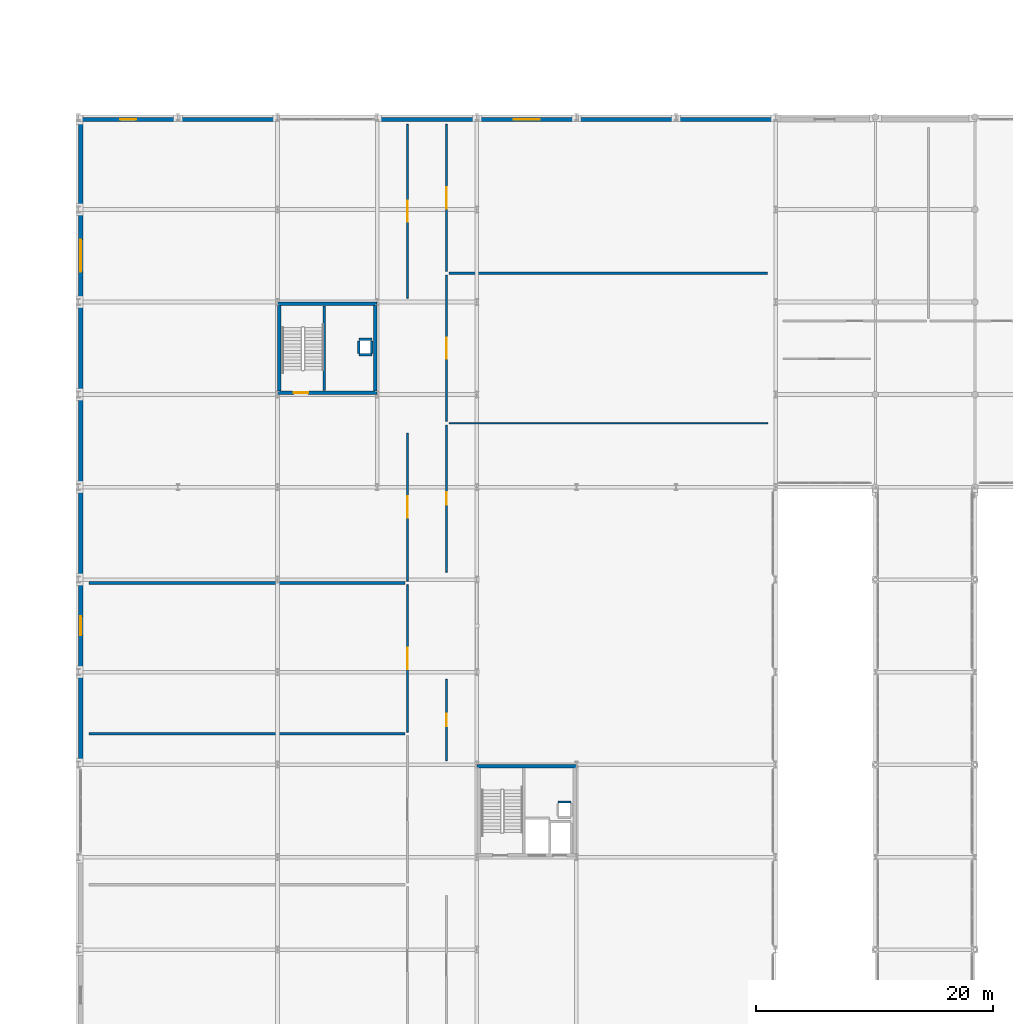
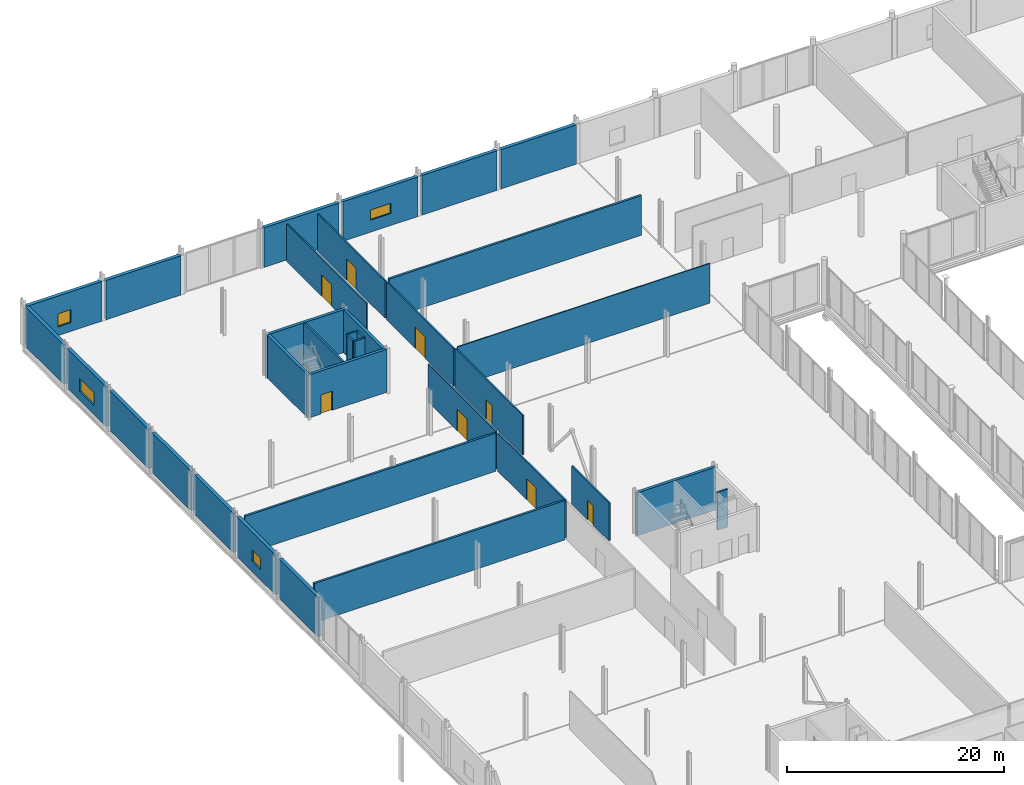
# One storey, part 78 of 105: 35 walls, 8 doors, 4 windows, 12 openings.
"""IFC4 building model written with IfcOpenShell, lengths in metres."""

from ifc_helpers import new_model, si_unit, direction, frame, frame_2d, origin, place, context, subcontext, project, spatial, rectangle, extrude, material, layer, layer_set, type_object, element, fill, save


model = new_model("IFC4")

# Units and contexts
model_context = context("Model", 3, precision=1e-05, world=origin(), true_north=direction((0.0, 1.0)))
body_context = subcontext(model_context, "Body", "Model", "MODEL_VIEW")
ifc_project = project(units=[si_unit("LENGTHUNIT", "METRE"), si_unit("AREAUNIT", "SQUARE_METRE"), si_unit("VOLUMEUNIT", "CUBIC_METRE"), si_unit("PLANEANGLEUNIT", "RADIAN"), si_unit("MASSUNIT", "GRAM", prefix="KILO")], contexts=[model_context])

# Site, building, storey
site_placement = place(None, origin())
site = spatial("IfcSite", under=ifc_project, at=site_placement, CompositionType="ELEMENT")
building_placement = place(site_placement, origin())
building = spatial("IfcBuilding", under=site, at=building_placement, Name="Nabrawat Pavilion Hospital", CompositionType="ELEMENT")
storey_placement = place(building_placement, frame((0.0, 0.0, 5.10009765625)))
storey = spatial("IfcBuildingStorey", under=building, at=storey_placement, Name="L01", CompositionType="ELEMENT", Elevation=5.10009765625)

# Wall
ifc_material_1 = material(Name="Gypsum Plasterboard on Stud", Category="gypsum")
ifc_layer_1 = layer(ifc_material_1, 0.10009765625, Name="Gypsum Plasterboard on Stud")
ifc_layer_set_1 = layer_set([ifc_layer_1], Name="Gypsum Plasterboard on Stud")
wall_type_1 = type_object("IfcWallType", Name="Clean Utility Sub-Partition 100", PredefinedType="PARTITIONING", material=ifc_layer_set_1)
wall_1_placement = place(storey_placement, frame((31.260009765625, 91.179931640625, 0.0), z_axis=(0.0, 0.0, 1.0), x_axis=(1.0, 0.0, 0.0)))
element("IfcWall", 1, at=wall_1_placement, inside=storey, type_object=wall_type_1, Name="L01 Surgical Sterile Supply Store L01-08 Dividing Partition", PredefinedType="PARTITIONING", context=body_context, shape_type="SweptSolid", body=[
    extrude(rectangle(XDim=26.85009765625, YDim=0.10009765625, at=frame_2d((13.425048828125, 0.0))), origin(), (0.0, 0.0, 1.0), 4.4599609375),
])

# Wall, opening, door
ifc_material_2 = material(Name="Gypsum Fireboard on Steel Stud", Category="steel")
ifc_layer_2 = layer(ifc_material_2, 0.14990234375, Name="Gypsum Fireboard on Steel Stud")
ifc_layer_set_2 = layer_set([ifc_layer_2], Name="Gypsum Fireboard on Steel Stud")
wall_type_2 = type_object("IfcWallType", Name="Clinical Corridor Smoke-Barrier Wall 150", PredefinedType="PARTITIONING", material=ifc_layer_set_2)
wall_2_placement = place(storey_placement, frame((27.760009765625, 65.14501953125, 0.0), z_axis=(0.0, 0.0, 1.0), x_axis=(0.0, 1.0, 0.0)))
wall_2 = element("IfcWall", 2, at=wall_2_placement, inside=storey, type_object=wall_type_2, Name="L01 Operating Theatre 3 Orthopaedic L01-03 Front Partition", PredefinedType="PARTITIONING", context=body_context, shape_type="SweptSolid", body=[
    extrude(rectangle(XDim=12.402587890625, YDim=0.14990234375, at=frame_2d((6.201171875, 0.0))), origin(), (0.0, 0.0, 1.0), 4.27001953125),
])
opening_1_placement = place(wall_2_placement, frame((5.30126953125, 0.0, 0.0)))
opening_1 = element("IfcOpeningElement", 3, at=opening_1_placement, cuts=wall_2, Name="Opening D-OR", PredefinedType="OPENING", context=body_context, shape_type="SweptSolid", body=[
    extrude(rectangle(XDim=1.800048828125, YDim=2.39990234375, at=frame_2d((0.89990234375, 1.199951171875))), frame((0.0, 0.0849609375, 0.0), z_axis=(0.0, -1.0, 0.0), x_axis=(1.0, 0.0, 0.0)), (0.0, 0.0, 1.0), 0.169921875),
])
ifc_material_3 = material(Name="Stainless-Clad Acoustic Timber and Vision Glass", Category="wood")
door_type_1 = type_object("IfcDoorType", Name="D-OR Hermetic Operating Theatre Automatic Door 1800x2400", OperationType="DOUBLE_DOOR_SLIDING", PredefinedType="DOOR", material=ifc_material_3)
door_1_placement = place(opening_1_placement, origin())
door_1 = element("IfcDoor", 4, at=door_1_placement, inside=storey, type_object=door_type_1, Name="Operating Theatre 3 Orthopaedic L01-03 Door", OperationType="DOUBLE_DOOR_SLIDING", OverallHeight=2.39990234375, OverallWidth=1.800048828125, PredefinedType="DOOR", context=body_context, shape_type="SweptSolid", body=[
    extrude(rectangle(XDim=1.800048828125, YDim=2.39990234375, at=frame_2d((0.89990234375, 1.199951171875))), frame((0.0, 0.02490234375, 0.0), z_axis=(0.0, -1.0, 0.0), x_axis=(1.0, 0.0, 0.0)), (0.0, 0.0, 1.0), 0.050048828125),
])
fill(opening_1, door_1)

wall_3_placement = place(storey_placement, frame((27.760009765625, 77.867431640625, 0.0), z_axis=(0.0, 0.0, 1.0), x_axis=(0.0, 1.0, 0.0)))
wall_3 = element("IfcWall", 5, at=wall_3_placement, inside=storey, type_object=wall_type_2, Name="L01 Operating Theatre 4 General Laparoscopic L01-04 Front Partition", PredefinedType="PARTITIONING", context=body_context, shape_type="SweptSolid", body=[
    extrude(rectangle(XDim=12.482666015625, YDim=0.14990234375, at=frame_2d((6.2412109375, 0.0))), origin(), (0.0, 0.0, 1.0), 4.27001953125),
])
opening_2_placement = place(wall_3_placement, frame((5.34130859375, 0.0, 0.0)))
opening_2 = element("IfcOpeningElement", 6, at=opening_2_placement, cuts=wall_3, Name="Opening D-OR", PredefinedType="OPENING", context=body_context, shape_type="SweptSolid", body=[
    extrude(rectangle(XDim=1.800048828125, YDim=2.39990234375, at=frame_2d((0.89990234375, 1.199951171875))), frame((0.0, 0.0849609375, 0.0), z_axis=(0.0, -1.0, 0.0), x_axis=(1.0, 0.0, 0.0)), (0.0, 0.0, 1.0), 0.169921875),
])
door_2_placement = place(opening_2_placement, origin())
door_2 = element("IfcDoor", 7, at=door_2_placement, inside=storey, type_object=door_type_1, Name="Operating Theatre 4 General Laparoscopic L01-04 Door", OperationType="DOUBLE_DOOR_SLIDING", OverallHeight=2.39990234375, OverallWidth=1.800048828125, PredefinedType="DOOR", context=body_context, shape_type="SweptSolid", body=[
    extrude(rectangle(XDim=1.800048828125, YDim=2.39990234375, at=frame_2d((0.89990234375, 1.199951171875))), frame((0.0, 0.02490234375, 0.0), z_axis=(0.0, -1.0, 0.0), x_axis=(1.0, 0.0, 0.0)), (0.0, 0.0, 1.0), 0.050048828125),
])
fill(opening_2, door_2)

wall_4_placement = place(storey_placement, frame((27.760009765625, 101.719970703125, 0.0), z_axis=(0.0, 0.0, 1.0), x_axis=(0.0, 1.0, 0.0)))
wall_4 = element("IfcWall", 8, at=wall_4_placement, inside=storey, type_object=wall_type_2, Name="L01 Operating Theatre 5 Vascular L01-05 Front Partition", PredefinedType="PARTITIONING", context=body_context, shape_type="SweptSolid", body=[
    extrude(rectangle(XDim=14.659912109375, YDim=0.14990234375, at=frame_2d((7.330078125, 0.0))), origin(), (0.0, 0.0, 1.0), 4.2099609375),
])
opening_3_placement = place(wall_4_placement, frame((6.429931640625, 0.0, 0.0)))
opening_3 = element("IfcOpeningElement", 9, at=opening_3_placement, cuts=wall_4, Name="Opening D-OR", PredefinedType="OPENING", context=body_context, shape_type="SweptSolid", body=[
    extrude(rectangle(XDim=1.800048828125, YDim=2.39990234375, at=frame_2d((0.89990234375, 1.199951171875))), frame((0.0, 0.0849609375, 0.0), z_axis=(0.0, -1.0, 0.0), x_axis=(1.0, 0.0, 0.0)), (0.0, 0.0, 1.0), 0.169921875),
])
door_3_placement = place(opening_3_placement, origin())
door_3 = element("IfcDoor", 10, at=door_3_placement, inside=storey, type_object=door_type_1, Name="Operating Theatre 5 Vascular L01-05 Door", OperationType="DOUBLE_DOOR_SLIDING", OverallHeight=2.39990234375, OverallWidth=1.800048828125, PredefinedType="DOOR", context=body_context, shape_type="SweptSolid", body=[
    extrude(rectangle(XDim=1.800048828125, YDim=2.39990234375, at=frame_2d((0.89990234375, 1.199951171875))), frame((0.0, 0.02490234375, 0.0), z_axis=(0.0, -1.0, 0.0), x_axis=(1.0, 0.0, 0.0)), (0.0, 0.0, 1.0), 0.050048828125),
])
fill(opening_3, door_3)

wall_5_placement = place(storey_placement, frame((31.0400390625, 62.719970703125, 0.0), z_axis=(0.0, 0.0, 1.0), x_axis=(0.0, 1.0, 0.0)))
wall_5 = element("IfcWall", 11, at=wall_5_placement, inside=storey, type_object=wall_type_2, Name="L01 Central Surgical Recovery PACU Hall L01-07 Front Partition", PredefinedType="PARTITIONING", context=body_context, shape_type="SweptSolid", body=[
    extrude(rectangle(XDim=6.860107421875, YDim=0.14990234375, at=frame_2d((3.43017578125, 0.0))), origin(), (0.0, 0.0, 1.0), 4.27001953125),
])
opening_4_placement = place(wall_5_placement, frame((2.905029296875, 0.0, 0.0)))
opening_4 = element("IfcOpeningElement", 12, at=opening_4_placement, cuts=wall_5, Name="Opening D-OPC-L", PredefinedType="OPENING", context=body_context, shape_type="SweptSolid", body=[
    extrude(rectangle(XDim=1.050048828125, YDim=2.14990234375, at=frame_2d((0.52490234375, 1.074951171875))), frame((0.0, 0.0849609375, 0.0), z_axis=(0.0, -1.0, 0.0), x_axis=(1.0, 0.0, 0.0)), (0.0, 0.0, 1.0), 0.169921875),
])
door_type_2 = type_object("IfcDoorType", Name="Outpatient Clinic Consultation Door L 1050x2150", OperationType="NOTDEFINED", PredefinedType="DOOR", material=ifc_material_3)
door_4_placement = place(opening_4_placement, origin())
door_4 = element("IfcDoor", 13, at=door_4_placement, inside=storey, type_object=door_type_2, Name="Central Surgical Recovery PACU Hall L01-07 Door", OperationType="SINGLE_SWING_RIGHT", OverallHeight=2.14990234375, OverallWidth=1.050048828125, PredefinedType="DOOR", context=body_context, shape_type="SweptSolid", body=[
    extrude(rectangle(XDim=1.050048828125, YDim=2.14990234375, at=frame_2d((0.52490234375, 1.074951171875))), frame((0.0, 0.02490234375, 0.0), z_axis=(0.0, -1.0, 0.0), x_axis=(1.0, 0.0, 0.0)), (0.0, 0.0, 1.0), 0.050048828125),
])
fill(opening_4, door_4)

wall_6_placement = place(storey_placement, frame((31.0400390625, 78.6201171875, 0.0), z_axis=(0.0, 0.0, 1.0), x_axis=(0.0, 1.0, 0.0)))
wall_6 = element("IfcWall", 14, at=wall_6_placement, inside=storey, type_object=wall_type_2, Name="L01 Surgical Sterile Supply Store L01-08 Front Partition", PredefinedType="PARTITIONING", context=body_context, shape_type="SweptSolid", body=[
    extrude(rectangle(XDim=12.39990234375, YDim=0.14990234375, at=frame_2d((6.199951171875, 0.0))), origin(), (0.0, 0.0, 1.0), 4.449951171875),
])
opening_5_placement = place(wall_6_placement, frame((5.675048828125, 0.0, 0.0)))
opening_5 = element("IfcOpeningElement", 15, at=opening_5_placement, cuts=wall_6, Name="Opening D-OPC-R", PredefinedType="OPENING", context=body_context, shape_type="SweptSolid", body=[
    extrude(rectangle(XDim=1.050048828125, YDim=2.14990234375, at=frame_2d((0.52490234375, 1.074951171875))), frame((0.0, 0.0849609375, 0.0), z_axis=(0.0, -1.0, 0.0), x_axis=(1.0, 0.0, 0.0)), (0.0, 0.0, 1.0), 0.169921875),
])
door_type_3 = type_object("IfcDoorType", Name="Outpatient Clinic Consultation Door R 1050x2150", OperationType="NOTDEFINED", PredefinedType="DOOR", material=ifc_material_3)
door_5_placement = place(opening_5_placement, origin())
door_5 = element("IfcDoor", 16, at=door_5_placement, inside=storey, type_object=door_type_3, Name="Surgical Sterile Supply Store L01-08 Door", OperationType="SINGLE_SWING_LEFT", OverallHeight=2.14990234375, OverallWidth=1.050048828125, PredefinedType="DOOR", context=body_context, shape_type="SweptSolid", body=[
    extrude(rectangle(XDim=1.050048828125, YDim=2.14990234375, at=frame_2d((0.52490234375, 1.074951171875))), frame((0.0, 0.02490234375, 0.0), z_axis=(0.0, -1.0, 0.0), x_axis=(1.0, 0.0, 0.0)), (0.0, 0.0, 1.0), 0.050048828125),
])
fill(opening_5, door_5)

wall_7_placement = place(storey_placement, frame((31.0400390625, 91.340087890625, 0.0), z_axis=(0.0, 0.0, 1.0), x_axis=(0.0, 1.0, 0.0)))
wall_7 = element("IfcWall", 17, at=wall_7_placement, inside=storey, type_object=wall_type_2, Name="L01 Operating Theatre 1 Hybrid Cardiac L01-09 Front Partition", PredefinedType="PARTITIONING", context=body_context, shape_type="SweptSolid", body=[
    extrude(rectangle(XDim=12.31982421875, YDim=0.14990234375, at=frame_2d((6.159912109375, 0.0))), origin(), (0.0, 0.0, 1.0), 4.27001953125),
])
opening_6_placement = place(wall_7_placement, frame((5.260009765625, 0.0, 0.0)))
opening_6 = element("IfcOpeningElement", 18, at=opening_6_placement, cuts=wall_7, Name="Opening D-OR", PredefinedType="OPENING", context=body_context, shape_type="SweptSolid", body=[
    extrude(rectangle(XDim=1.800048828125, YDim=2.39990234375, at=frame_2d((0.89990234375, 1.199951171875))), frame((0.0, 0.0849609375, 0.0), z_axis=(0.0, -1.0, 0.0), x_axis=(1.0, 0.0, 0.0)), (0.0, 0.0, 1.0), 0.169921875),
])
door_6_placement = place(opening_6_placement, origin())
door_6 = element("IfcDoor", 19, at=door_6_placement, inside=storey, type_object=door_type_1, Name="Operating Theatre 1 Hybrid Cardiac L01-09 Door", OperationType="DOUBLE_DOOR_SLIDING", OverallHeight=2.39990234375, OverallWidth=1.800048828125, PredefinedType="DOOR", context=body_context, shape_type="SweptSolid", body=[
    extrude(rectangle(XDim=1.800048828125, YDim=2.39990234375, at=frame_2d((0.89990234375, 1.199951171875))), frame((0.0, 0.02490234375, 0.0), z_axis=(0.0, -1.0, 0.0), x_axis=(1.0, 0.0, 0.0)), (0.0, 0.0, 1.0), 0.050048828125),
])
fill(opening_6, door_6)

wall_8_placement = place(storey_placement, frame((31.0400390625, 103.97998046875, 0.0), z_axis=(0.0, 0.0, 1.0), x_axis=(0.0, 1.0, 0.0)))
wall_8 = element("IfcWall", 20, at=wall_8_placement, inside=storey, type_object=wall_type_2, Name="L01 Operating Theatre 2 Neurosurgery L01-10 Front Partition", PredefinedType="PARTITIONING", context=body_context, shape_type="SweptSolid", body=[
    extrude(rectangle(XDim=12.39990234375, YDim=0.14990234375, at=frame_2d((6.199951171875, 0.0))), origin(), (0.0, 0.0, 1.0), 4.2099609375),
])
opening_7_placement = place(wall_8_placement, frame((5.300048828125, 0.0, 0.0)))
opening_7 = element("IfcOpeningElement", 21, at=opening_7_placement, cuts=wall_8, Name="Opening D-OR", PredefinedType="OPENING", context=body_context, shape_type="SweptSolid", body=[
    extrude(rectangle(XDim=1.800048828125, YDim=2.39990234375, at=frame_2d((0.89990234375, 1.199951171875))), frame((0.0, 0.0849609375, 0.0), z_axis=(0.0, -1.0, 0.0), x_axis=(1.0, 0.0, 0.0)), (0.0, 0.0, 1.0), 0.169921875),
])
door_7_placement = place(opening_7_placement, origin())
door_7 = element("IfcDoor", 22, at=door_7_placement, inside=storey, type_object=door_type_1, Name="Operating Theatre 2 Neurosurgery L01-10 Door", OperationType="DOUBLE_DOOR_SLIDING", OverallHeight=2.39990234375, OverallWidth=1.800048828125, PredefinedType="DOOR", context=body_context, shape_type="SweptSolid", body=[
    extrude(rectangle(XDim=1.800048828125, YDim=2.39990234375, at=frame_2d((0.89990234375, 1.199951171875))), frame((0.0, 0.02490234375, 0.0), z_axis=(0.0, -1.0, 0.0), x_axis=(1.0, 0.0, 0.0)), (0.0, 0.0, 1.0), 0.050048828125),
])
fill(opening_7, door_7)

# Walls
ifc_material_4 = material(Name="Concrete C35/45", Category="concrete")
ifc_layer_3 = layer(ifc_material_4, 0.199951171875, Name="Concrete C35/45")
ifc_layer_set_3 = layer_set([ifc_layer_3], Name="Concrete C35/45")
wall_type_3 = type_object("IfcWallType", Name="Lift and Riser Fire Shaft Wall 200", PredefinedType="PARTITIONING", material=ifc_layer_set_3)
wall_9_placement = place(storey_placement, frame((40.449951171875, 59.25, 0.0), z_axis=(0.0, 0.0, 1.0), x_axis=(1.0, 0.0, 0.0)))
element("IfcWall", 23, at=wall_9_placement, inside=storey, type_object=wall_type_3, Name="L01 CORE-2 MEP Riser Shaft Wall N", PredefinedType="PARTITIONING", context=body_context, shape_type="SweptSolid", body=[
    extrude(rectangle(XDim=1.10009765625, YDim=0.199951171875, at=frame_2d((0.550048828125, 0.0))), origin(), (0.0, 0.0, 1.0), 4.27001953125),
])
wall_10_placement = place(storey_placement, frame((20.75, 93.919921875, 0.0), z_axis=(0.0, 0.0, 1.0), x_axis=(0.0, 1.0, 0.0)))
element("IfcWall", 24, at=wall_10_placement, inside=storey, type_object=wall_type_3, Name="L01 CORE-7 Stair-Lift Dividing Shear Wall", PredefinedType="SHEAR", context=body_context, shape_type="SweptSolid", body=[
    extrude(rectangle(XDim=7.16015625, YDim=0.199951171875, at=frame_2d((3.580078125, 0.0))), origin(), (0.0, 0.0, 1.0), 4.829833984375),
])
for number, where, z_axis, x_axis, name in (
    (25, (23.64990234375, 96.949951171875, 0.0), (0.0, 0.0, 1.0), (1.0, 0.0, 0.0), "L01 CORE-7 MEP Riser Shaft Wall S"),
    (26, (23.64990234375, 98.25, 0.0), (0.0, 0.0, 1.0), (1.0, 0.0, 0.0), "L01 CORE-7 MEP Riser Shaft Wall N"),
):
    element("IfcWall", number, at=place(storey_placement, frame(where, z_axis=z_axis, x_axis=x_axis)), inside=storey, type_object=wall_type_3, Name=name, PredefinedType="PARTITIONING", context=body_context, shape_type="SweptSolid", body=[
        extrude(rectangle(XDim=1.10009765625, YDim=0.199951171875, at=frame_2d((0.550048828125, 0.0))), origin(), (0.0, 0.0, 1.0), 4.27001953125),
    ])
for number, where, z_axis, x_axis, name in (
    (27, (23.64990234375, 97.070068359375, 0.0), (0.0, 0.0, 1.0), (0.0, 1.0, 0.0), "L01 CORE-7 MEP Riser Shaft Wall W"),
    (28, (24.75, 97.070068359375, 0.0), (0.0, 0.0, 1.0), (0.0, 1.0, 0.0), "L01 CORE-7 MEP Riser Shaft Wall E"),
):
    element("IfcWall", number, at=place(storey_placement, frame(where, z_axis=z_axis, x_axis=x_axis)), inside=storey, type_object=wall_type_3, Name=name, PredefinedType="PARTITIONING", context=body_context, shape_type="SweptSolid", body=[
        extrude(rectangle(XDim=1.059814453125, YDim=0.199951171875, at=frame_2d((0.52978515625, 0.0))), origin(), (0.0, 0.0, 1.0), 4.27001953125),
    ])
ifc_material_5 = material(Name="Concrete C40/50", Category="concrete")
ifc_layer_4 = layer(ifc_material_5, 0.300048828125, Name="Concrete C40/50")
ifc_layer_set_4 = layer_set([ifc_layer_4], Name="Concrete C40/50")
wall_type_4 = type_object("IfcWallType", Name="Reinforced Concrete Core Shear Wall 300", PredefinedType="SHEAR", material=ifc_layer_set_4)
wall_11_placement = place(storey_placement, frame((33.60009765625, 62.25, 0.0), z_axis=(0.0, 0.0, 1.0), x_axis=(1.0, 0.0, 0.0)))
element("IfcWall", 29, at=wall_11_placement, inside=storey, type_object=wall_type_4, Name="L01 CORE-2 North Core Shear Wall", PredefinedType="SHEAR", context=body_context, shape_type="SweptSolid", body=[
    extrude(rectangle(XDim=8.39990234375, YDim=0.300048828125, at=frame_2d((4.199951171875, 0.0))), origin(), (0.0, 0.0, 1.0), 4.829833984375),
])

# Wall, opening, door
wall_12_placement = place(storey_placement, frame((16.800048828125, 93.75, 0.0), z_axis=(0.0, 0.0, 1.0), x_axis=(1.0, 0.0, 0.0)))
wall_12 = element("IfcWall", 30, at=wall_12_placement, inside=storey, type_object=wall_type_4, Name="L01 CORE-7 South Core Shear Wall", PredefinedType="SHEAR", context=body_context, shape_type="SweptSolid", body=[
    extrude(rectangle(XDim=8.39990234375, YDim=0.300048828125, at=frame_2d((4.199951171875, 0.0))), origin(), (0.0, 0.0, 1.0), 4.829833984375),
])
opening_8_placement = place(wall_12_placement, frame((1.3798828125, 0.0, 0.0)))
opening_8 = element("IfcOpeningElement", 31, at=opening_8_placement, cuts=wall_12, Name="Opening D-STAIR", PredefinedType="OPENING", context=body_context, shape_type="SweptSolid", body=[
    extrude(rectangle(XDim=1.199951171875, YDim=2.14990234375, at=frame_2d((0.60009765625, 1.074951171875))), frame((0.0, 0.16015625, 0.0), z_axis=(0.0, -1.0, 0.0), x_axis=(1.0, 0.0, 0.0)), (0.0, 0.0, 1.0), 0.320068359375),
])
door_type_4 = type_object("IfcDoorType", Name="D-STAIR Exit Stair Fire Door 1200x2150", OperationType="NOTDEFINED", PredefinedType="DOOR", material=ifc_material_3)
door_8_placement = place(opening_8_placement, origin())
door_8 = element("IfcDoor", 32, at=door_8_placement, inside=storey, type_object=door_type_4, Name="L01 ST-07 Fire Exit Stair Door", OperationType="SINGLE_SWING_LEFT", OverallHeight=2.14990234375, OverallWidth=1.199951171875, PredefinedType="DOOR", context=body_context, shape_type="SweptSolid", body=[
    extrude(rectangle(XDim=1.199951171875, YDim=2.14990234375, at=frame_2d((0.60009765625, 1.074951171875))), frame((0.0, 0.02490234375, 0.0), z_axis=(0.0, -1.0, 0.0), x_axis=(1.0, 0.0, 0.0)), (0.0, 0.0, 1.0), 0.050048828125),
])
fill(opening_8, door_8)

# Walls
wall_13_placement = place(storey_placement, frame((16.800048828125, 101.25, 0.0), z_axis=(0.0, 0.0, 1.0), x_axis=(1.0, 0.0, 0.0)))
element("IfcWall", 33, at=wall_13_placement, inside=storey, type_object=wall_type_4, Name="L01 CORE-7 North Core Shear Wall", PredefinedType="SHEAR", context=body_context, shape_type="SweptSolid", body=[
    extrude(rectangle(XDim=8.39990234375, YDim=0.300048828125, at=frame_2d((4.199951171875, 0.0))), origin(), (0.0, 0.0, 1.0), 4.829833984375),
])
for number, where, z_axis, x_axis, name in (
    (34, (16.949951171875, 93.89990234375, 0.0), (0.0, 0.0, 1.0), (0.0, 1.0, 0.0), "L01 CORE-7 West Core Shear Wall"),
    (35, (25.050048828125, 93.89990234375, 0.0), (0.0, 0.0, 1.0), (0.0, 1.0, 0.0), "L01 CORE-7 East Core Shear Wall"),
):
    element("IfcWall", number, at=place(storey_placement, frame(where, z_axis=z_axis, x_axis=x_axis)), inside=storey, type_object=wall_type_4, Name=name, PredefinedType="SHEAR", context=body_context, shape_type="SweptSolid", body=[
        extrude(rectangle(XDim=7.2001953125, YDim=0.300048828125, at=frame_2d((3.60009765625, 0.0))), origin(), (0.0, 0.0, 1.0), 4.829833984375),
    ])
ifc_material_6 = material(Name="Precast concrete C40/50", Category="concrete")
ifc_layer_5 = layer(ifc_material_6, 0.360107421875, Name="Precast concrete C40/50")
ifc_layer_set_5 = layer_set([ifc_layer_5], Name="Precast concrete C40/50")
wall_type_5 = type_object("IfcWallType", Name="Surgical Acoustic Precast Facade Wall 360", PredefinedType="SOLIDWALL", material=ifc_layer_set_5)
wall_14_placement = place(storey_placement, frame((0.219970703125, 62.72509765625, 0.0), z_axis=(0.0, 0.0, 1.0), x_axis=(0.0, 1.0, 0.0)))
element("IfcWall", 36, at=wall_14_placement, inside=storey, type_object=wall_type_5, Name="L01 Surgical Acoustic Precast Facade Wall 360 182", PredefinedType="SOLIDWALL", context=body_context, shape_type="SweptSolid", body=[
    extrude(rectangle(XDim=7.14990234375, YDim=0.360107421875, at=frame_2d((3.574951171875, 0.0))), origin(), (0.0, 0.0, 1.0), 4.4599609375),
])

# Wall, opening, window
wall_15_placement = place(storey_placement, frame((0.219970703125, 70.52490234375, 0.0), z_axis=(0.0, 0.0, 1.0), x_axis=(0.0, 1.0, 0.0)))
wall_15 = element("IfcWall", 37, at=wall_15_placement, inside=storey, type_object=wall_type_5, Name="L01 Surgical Acoustic Precast Facade Wall 360 183", PredefinedType="SOLIDWALL", context=body_context, shape_type="SweptSolid", body=[
    extrude(rectangle(XDim=7.150146484375, YDim=0.360107421875, at=frame_2d((3.5751953125, 0.0))), origin(), (0.0, 0.0, 1.0), 4.4599609375),
])
opening_9_placement = place(wall_15_placement, frame((2.77490234375, 0.0, 1.14990234375)))
opening_9 = element("IfcOpeningElement", 38, at=opening_9_placement, cuts=wall_15, Name="Opening WN-08", PredefinedType="OPENING", context=body_context, shape_type="SweptSolid", body=[
    extrude(rectangle(XDim=1.60009765625, YDim=1.300048828125, at=frame_2d((0.800048828125, 0.64990234375))), frame((0.0, 0.18994140625, 0.0), z_axis=(0.0, -1.0, 0.0), x_axis=(1.0, 0.0, 0.0)), (0.0, 0.0, 1.0), 0.380126953125),
])
ifc_material_7 = material(Name="Thermally Broken Aluminium and Solar Glass", Category="aluminium")
window_type_1 = type_object("IfcWindowType", Name="Surgical Scrub Borrowed-Light Window 1600x1300", PartitioningType="SINGLE_PANEL", PredefinedType="WINDOW", material=ifc_material_7)
window_1_placement = place(opening_9_placement, origin())
window_1 = element("IfcWindow", 39, at=window_1_placement, inside=storey, type_object=window_type_1, Name="L01 Surgical Scrub Borrowed-Light Window 1600x1300 072", OverallHeight=1.300048828125, OverallWidth=1.60009765625, PartitioningType="SINGLE_PANEL", PredefinedType="WINDOW", context=body_context, shape_type="SweptSolid", body=[
    extrude(rectangle(XDim=1.60009765625, YDim=1.300048828125, at=frame_2d((0.800048828125, 0.64990234375))), frame((0.0, 0.030029296875, 0.0), z_axis=(0.0, -1.0, 0.0), x_axis=(1.0, 0.0, 0.0)), (0.0, 0.0, 1.0), 0.06005859375),
])
fill(opening_9, window_1)

# Walls
wall_16_placement = place(storey_placement, frame((0.219970703125, 78.324951171875, 0.0), z_axis=(0.0, 0.0, 1.0), x_axis=(0.0, 1.0, 0.0)))
element("IfcWall", 40, at=wall_16_placement, inside=storey, type_object=wall_type_5, Name="L01 Surgical Acoustic Precast Facade Wall 360 184", PredefinedType="SOLIDWALL", context=body_context, shape_type="SweptSolid", body=[
    extrude(rectangle(XDim=7.150146484375, YDim=0.360107421875, at=frame_2d((3.5751953125, 0.0))), origin(), (0.0, 0.0, 1.0), 4.4599609375),
])
for number, where, z_axis, x_axis, name in (
    (41, (0.219970703125, 86.125, 0.0), (0.0, 0.0, 1.0), (0.0, 1.0, 0.0), "L01 Surgical Acoustic Precast Facade Wall 360 185"),
    (42, (0.219970703125, 93.925048828125, 0.0), (0.0, 0.0, 1.0), (0.0, 1.0, 0.0), "L01 Surgical Acoustic Precast Facade Wall 360 186"),
):
    element("IfcWall", number, at=place(storey_placement, frame(where, z_axis=z_axis, x_axis=x_axis)), inside=storey, type_object=wall_type_5, Name=name, PredefinedType="SOLIDWALL", context=body_context, shape_type="SweptSolid", body=[
        extrude(rectangle(XDim=7.14990234375, YDim=0.360107421875, at=frame_2d((3.574951171875, 0.0))), origin(), (0.0, 0.0, 1.0), 4.4599609375),
    ])

# Wall, opening, window
wall_17_placement = place(storey_placement, frame((0.219970703125, 101.72509765625, 0.0), z_axis=(0.0, 0.0, 1.0), x_axis=(0.0, 1.0, 0.0)))
wall_17 = element("IfcWall", 43, at=wall_17_placement, inside=storey, type_object=wall_type_5, Name="L01 Surgical Acoustic Precast Facade Wall 360 187", PredefinedType="SOLIDWALL", context=body_context, shape_type="SweptSolid", body=[
    extrude(rectangle(XDim=7.14990234375, YDim=0.360107421875, at=frame_2d((3.574951171875, 0.0))), origin(), (0.0, 0.0, 1.0), 4.4599609375),
])
opening_10_placement = place(wall_17_placement, frame((2.22509765625, 0.0, 1.0)))
opening_10 = element("IfcOpeningElement", 44, at=opening_10_placement, cuts=wall_17, Name="Opening WN-09", PredefinedType="OPENING", context=body_context, shape_type="SweptSolid", body=[
    extrude(rectangle(XDim=2.699951171875, YDim=1.449951171875, at=frame_2d((1.35009765625, 0.72509765625))), frame((0.0, 0.18994140625, 0.0), z_axis=(0.0, -1.0, 0.0), x_axis=(1.0, 0.0, 0.0)), (0.0, 0.0, 1.0), 0.380126953125),
])
window_type_2 = type_object("IfcWindowType", Name="Surgical PACU Ribbon Window 2700x1450", PartitioningType="SINGLE_PANEL", PredefinedType="WINDOW", material=ifc_material_7)
window_2_placement = place(opening_10_placement, origin())
window_2 = element("IfcWindow", 45, at=window_2_placement, inside=storey, type_object=window_type_2, Name="L01 Surgical PACU Ribbon Window 2700x1450 073", OverallHeight=1.449951171875, OverallWidth=2.699951171875, PartitioningType="SINGLE_PANEL", PredefinedType="WINDOW", context=body_context, shape_type="SweptSolid", body=[
    extrude(rectangle(XDim=2.699951171875, YDim=1.449951171875, at=frame_2d((1.35009765625, 0.72509765625))), frame((0.0, 0.030029296875, 0.0), z_axis=(0.0, -1.0, 0.0), x_axis=(1.0, 0.0, 0.0)), (0.0, 0.0, 1.0), 0.06005859375),
])
fill(opening_10, window_2)

# Wall
wall_18_placement = place(storey_placement, frame((0.219970703125, 109.52490234375, 0.0), z_axis=(0.0, 0.0, 1.0), x_axis=(0.0, 1.0, 0.0)))
element("IfcWall", 46, at=wall_18_placement, inside=storey, type_object=wall_type_5, Name="L01 Surgical Acoustic Precast Facade Wall 360 188", PredefinedType="SOLIDWALL", context=body_context, shape_type="SweptSolid", body=[
    extrude(rectangle(XDim=7.03515625, YDim=0.360107421875, at=frame_2d((3.517578125, 0.0))), origin(), (0.0, 0.0, 1.0), 4.4599609375),
])

# Wall, opening, window
wall_19_placement = place(storey_placement, frame((0.199951171875, 116.780029296875, 0.0), z_axis=(0.0, 0.0, 1.0), x_axis=(1.0, 0.0, 0.0)))
wall_19 = element("IfcWall", 47, at=wall_19_placement, inside=storey, type_object=wall_type_5, Name="L01 Surgical Acoustic Precast Facade Wall 360 189", PredefinedType="SOLIDWALL", context=body_context, shape_type="SweptSolid", body=[
    extrude(rectangle(XDim=8.0, YDim=0.360107421875, at=frame_2d((4.0, 0.0))), origin(), (0.0, 0.0, 1.0), 4.4599609375),
])
opening_11_placement = place(wall_19_placement, frame((3.324951171875, 0.0, 1.0)))
opening_11 = element("IfcOpeningElement", 48, at=opening_11_placement, cuts=wall_19, Name="Opening WN-10", PredefinedType="OPENING", context=body_context, shape_type="SweptSolid", body=[
    extrude(rectangle(XDim=1.35009765625, YDim=1.449951171875, at=frame_2d((0.675048828125, 0.72509765625))), frame((0.0, 0.18994140625, 0.0), z_axis=(0.0, -1.0, 0.0), x_axis=(1.0, 0.0, 0.0)), (0.0, 0.0, 1.0), 0.380126953125),
])
window_type_3 = type_object("IfcWindowType", Name="Diagnostic Reporting Room Window 1350x1450", PartitioningType="SINGLE_PANEL", PredefinedType="WINDOW", material=ifc_material_7)
window_3_placement = place(opening_11_placement, origin())
window_3 = element("IfcWindow", 49, at=window_3_placement, inside=storey, type_object=window_type_3, Name="L01 Diagnostic Reporting Room Window 1350x1450 074", OverallHeight=1.449951171875, OverallWidth=1.35009765625, PartitioningType="SINGLE_PANEL", PredefinedType="WINDOW", context=body_context, shape_type="SweptSolid", body=[
    extrude(rectangle(XDim=1.35009765625, YDim=1.449951171875, at=frame_2d((0.675048828125, 0.72509765625))), frame((0.0, 0.030029296875, 0.0), z_axis=(0.0, -1.0, 0.0), x_axis=(1.0, 0.0, 0.0)), (0.0, 0.0, 1.0), 0.06005859375),
])
fill(opening_11, window_3)

# Walls
wall_20_placement = place(storey_placement, frame((8.60009765625, 116.780029296875, 0.0), z_axis=(0.0, 0.0, 1.0), x_axis=(1.0, 0.0, 0.0)))
element("IfcWall", 50, at=wall_20_placement, inside=storey, type_object=wall_type_5, Name="L01 Surgical Acoustic Precast Facade Wall 360 190", PredefinedType="SOLIDWALL", context=body_context, shape_type="SweptSolid", body=[
    extrude(rectangle(XDim=8.0, YDim=0.360107421875, at=frame_2d((4.0, 0.0))), origin(), (0.0, 0.0, 1.0), 4.419921875),
])
wall_21_placement = place(storey_placement, frame((25.39990234375, 116.780029296875, 0.0), z_axis=(0.0, 0.0, 1.0), x_axis=(1.0, 0.0, 0.0)))
element("IfcWall", 51, at=wall_21_placement, inside=storey, type_object=wall_type_5, Name="L01 Surgical Acoustic Precast Facade Wall 360 191", PredefinedType="SOLIDWALL", context=body_context, shape_type="SweptSolid", body=[
    extrude(rectangle(XDim=8.0, YDim=0.360107421875, at=frame_2d((4.0, 0.0))), origin(), (0.0, 0.0, 1.0), 4.449951171875),
])

# Wall, opening, window
wall_22_placement = place(storey_placement, frame((33.800048828125, 116.780029296875, 0.0), z_axis=(0.0, 0.0, 1.0), x_axis=(1.0, 0.0, 0.0)))
wall_22 = element("IfcWall", 52, at=wall_22_placement, inside=storey, type_object=wall_type_5, Name="L01 Surgical Acoustic Precast Facade Wall 360 192", PredefinedType="SOLIDWALL", context=body_context, shape_type="SweptSolid", body=[
    extrude(rectangle(XDim=8.0, YDim=0.360107421875, at=frame_2d((4.0, 0.0))), origin(), (0.0, 0.0, 1.0), 4.449951171875),
])
opening_12_placement = place(wall_22_placement, frame((2.89990234375, 0.0, 1.35009765625)))
opening_12 = element("IfcOpeningElement", 53, at=opening_12_placement, cuts=wall_22, Name="Opening WN-11", PredefinedType="OPENING", context=body_context, shape_type="SweptSolid", body=[
    extrude(rectangle(XDim=2.199951171875, YDim=1.14990234375, at=frame_2d((1.10009765625, 0.574951171875))), frame((0.0, 0.18994140625, 0.0), z_axis=(0.0, -1.0, 0.0), x_axis=(1.0, 0.0, 0.0)), (0.0, 0.0, 1.0), 0.380126953125),
])
window_type_4 = type_object("IfcWindowType", Name="Diagnostic Laboratory Clerestory 2200x1150", PartitioningType="SINGLE_PANEL", PredefinedType="WINDOW", material=ifc_material_7)
window_4_placement = place(opening_12_placement, origin())
window_4 = element("IfcWindow", 54, at=window_4_placement, inside=storey, type_object=window_type_4, Name="L01 Diagnostic Laboratory Clerestory 2200x1150 075", OverallHeight=1.14990234375, OverallWidth=2.199951171875, PartitioningType="SINGLE_PANEL", PredefinedType="WINDOW", context=body_context, shape_type="SweptSolid", body=[
    extrude(rectangle(XDim=2.199951171875, YDim=1.14990234375, at=frame_2d((1.10009765625, 0.574951171875))), frame((0.0, 0.030029296875, 0.0), z_axis=(0.0, -1.0, 0.0), x_axis=(1.0, 0.0, 0.0)), (0.0, 0.0, 1.0), 0.06005859375),
])
fill(opening_12, window_4)

# Walls
wall_23_placement = place(storey_placement, frame((42.199951171875, 116.780029296875, 0.0), z_axis=(0.0, 0.0, 1.0), x_axis=(1.0, 0.0, 0.0)))
element("IfcWall", 55, at=wall_23_placement, inside=storey, type_object=wall_type_5, Name="L01 Surgical Acoustic Precast Facade Wall 360 193", PredefinedType="SOLIDWALL", context=body_context, shape_type="SweptSolid", body=[
    extrude(rectangle(XDim=8.0, YDim=0.360107421875, at=frame_2d((4.0, 0.0))), origin(), (0.0, 0.0, 1.0), 4.449951171875),
])
wall_24_placement = place(storey_placement, frame((50.60009765625, 116.780029296875, 0.0), z_axis=(0.0, 0.0, 1.0), x_axis=(1.0, 0.0, 0.0)))
element("IfcWall", 56, at=wall_24_placement, inside=storey, type_object=wall_type_5, Name="L01 Surgical Acoustic Precast Facade Wall 360 194", PredefinedType="SOLIDWALL", context=body_context, shape_type="SweptSolid", body=[
    extrude(rectangle(XDim=8.0, YDim=0.360107421875, at=frame_2d((4.0, 0.0))), origin(), (0.0, 0.0, 1.0), 4.419921875),
])
ifc_material_8 = material(Name="Hygienic Gypsum and Lead Core", Category="gypsum")
ifc_layer_6 = layer(ifc_material_8, 0.219970703125, Name="Hygienic Gypsum and Lead Core")
ifc_layer_set_6 = layer_set([ifc_layer_6], Name="Hygienic Gypsum and Lead Core")
wall_type_6 = type_object("IfcWallType", Name="Surgical Hygienic Lead-Shielded Wall 220", PredefinedType="PARTITIONING", material=ifc_layer_set_6)
wall_25_placement = place(storey_placement, frame((0.889892578125, 64.985107421875, 0.0), z_axis=(0.0, 0.0, 1.0), x_axis=(1.0, 0.0, 0.0)))
element("IfcWall", 57, at=wall_25_placement, inside=storey, type_object=wall_type_6, Name="L01 Operating Theatre 2 Neurosurgery L01-02 Dividing Partition", PredefinedType="PARTITIONING", context=body_context, shape_type="SweptSolid", body=[
    extrude(rectangle(XDim=26.650146484375, YDim=0.219970703125, at=frame_2d((13.3251953125, 0.0))), origin(), (0.0, 0.0, 1.0), 4.419921875),
])
wall_26_placement = place(storey_placement, frame((0.889892578125, 77.70751953125, 0.0), z_axis=(0.0, 0.0, 1.0), x_axis=(1.0, 0.0, 0.0)))
element("IfcWall", 58, at=wall_26_placement, inside=storey, type_object=wall_type_6, Name="L01 Operating Theatre 3 Orthopaedic L01-03 Dividing Partition", PredefinedType="PARTITIONING", context=body_context, shape_type="SweptSolid", body=[
    extrude(rectangle(XDim=26.650146484375, YDim=0.219970703125, at=frame_2d((13.3251953125, 0.0))), origin(), (0.0, 0.0, 1.0), 4.27001953125),
])
wall_27_placement = place(storey_placement, frame((31.260009765625, 103.820068359375, 0.0), z_axis=(0.0, 0.0, 1.0), x_axis=(1.0, 0.0, 0.0)))
element("IfcWall", 59, at=wall_27_placement, inside=storey, type_object=wall_type_6, Name="L01 Operating Theatre 1 Hybrid Cardiac L01-09 Dividing Partition", PredefinedType="PARTITIONING", context=body_context, shape_type="SweptSolid", body=[
    extrude(rectangle(XDim=26.85009765625, YDim=0.219970703125, at=frame_2d((13.425048828125, 0.0))), origin(), (0.0, 0.0, 1.0), 4.4599609375),
])

save(model, "model.ifc")
